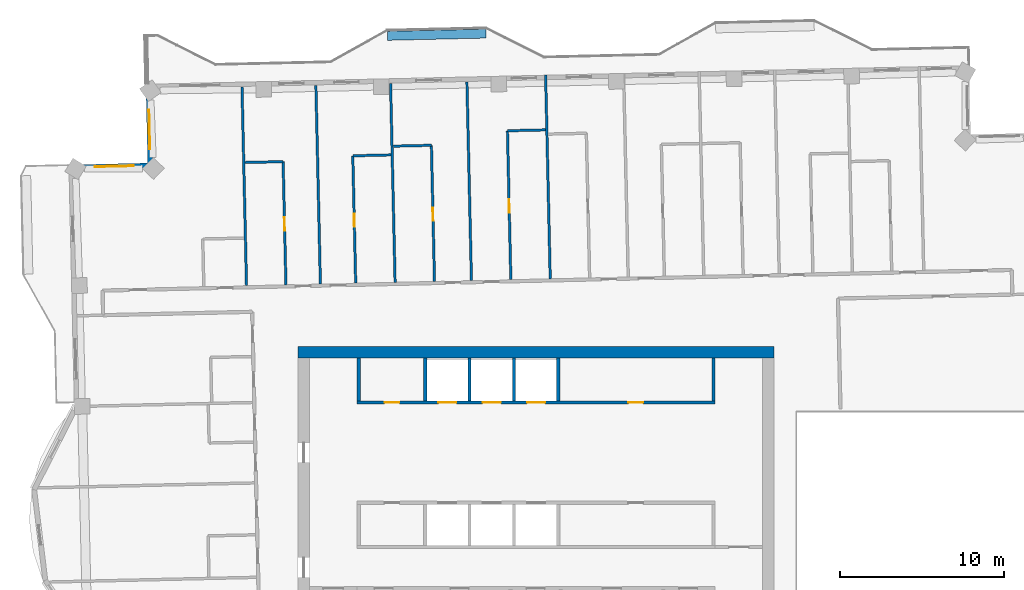
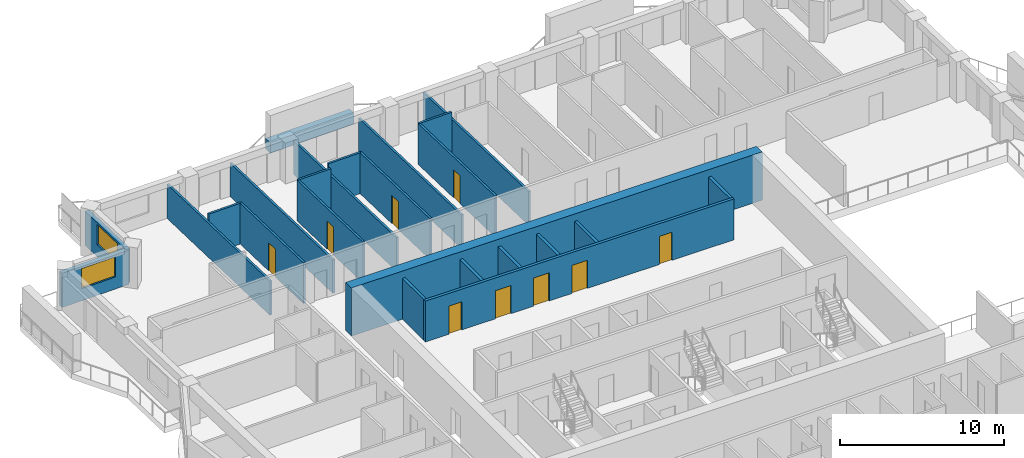
# One storey, part 12 of 18: 24 walls, 9 doors, 2 windows, 11 openings.
"""IFC4 building model written with IfcOpenShell, lengths in metres."""

from ifc_helpers import new_model, si_unit, direction, frame, frame_2d, origin, place, context, subcontext, project, spatial, rectangle, extrude, material, layer, layer_set, type_object, element, fill, save


model = new_model("IFC4")

# Units and contexts
model_context = context("Model", 3, precision=1e-05, world=origin(), true_north=direction((0.0, 1.0)))
body_context = subcontext(model_context, "Body", "Model", "MODEL_VIEW")
ifc_project = project(units=[si_unit("LENGTHUNIT", "METRE"), si_unit("AREAUNIT", "SQUARE_METRE"), si_unit("VOLUMEUNIT", "CUBIC_METRE"), si_unit("PLANEANGLEUNIT", "RADIAN"), si_unit("MASSUNIT", "GRAM", prefix="KILO")], contexts=[model_context])

# Site, building, storey
site_placement = place(None, origin())
site = spatial("IfcSite", under=ifc_project, at=site_placement, CompositionType="ELEMENT")
building_placement = place(site_placement, origin())
building = spatial("IfcBuilding", under=site, at=building_placement, Name="Mangrove Gate Tower", CompositionType="ELEMENT")
storey_placement = place(building_placement, frame((0.0, 0.0, 287.10009765625)))
storey = spatial("IfcBuildingStorey", under=building, at=storey_placement, Name="L73", CompositionType="ELEMENT", Elevation=287.10009765625)

# Walls
ifc_material_1 = material(Name="Concrete C32/40", Category="concrete")
ifc_layer_1 = layer(ifc_material_1, 0.199951171875)
ifc_layer_set_1 = layer_set([ifc_layer_1], Name="Core room wall 200 C32/40")
wall_type_1 = type_object("IfcWallType", Name="Core room wall 200 C32/40", PredefinedType="STANDARD", material=ifc_layer_set_1)
for number, where, z_axis, x_axis, name in (
    (1, (-10.800048828125, 8.199951171875, 0.0), (0.0, 0.0, 1.0), (0.0, 1.0, 0.0), "WALL-L73-CORE-25"),
    (2, (10.800048828125, 8.199951171875, 0.0), (0.0, 0.0, 1.0), (0.0, 1.0, 0.0), "WALL-L73-CORE-30"),
):
    element("IfcWall", number, at=place(storey_placement, frame(where, z_axis=z_axis, x_axis=x_axis)), inside=storey, type_object=wall_type_1, Name=name, PredefinedType="STANDARD", context=body_context, shape_type="SweptSolid", body=[
        extrude(rectangle(XDim=2.60009765625, YDim=0.199951171875, at=frame_2d((1.300048828125, 0.0))), origin(), (0.0, 0.0, 1.0), 3.0498046875),
    ])

# Wall, openings, doors
ifc_material_2 = material(Name="Concrete C50/60", Category="concrete")
ifc_layer_2 = layer(ifc_material_2, 0.199951171875)
ifc_layer_set_2 = layer_set([ifc_layer_2], Name="Core shaft wall 200 C50/60")
wall_type_2 = type_object("IfcWallType", Name="Core shaft wall 200 C50/60", PredefinedType="SHEAR", material=ifc_layer_set_2)
wall_1_placement = place(storey_placement, frame((-10.89990234375, 8.10009765625, 0.0), z_axis=(0.0, 0.0, 1.0), x_axis=(1.0, 0.0, 0.0)))
wall_1 = element("IfcWall", 3, at=wall_1_placement, inside=storey, type_object=wall_type_2, Name="WALL-L73-CORE-8", PredefinedType="SHEAR", context=body_context, shape_type="SweptSolid", body=[
    extrude(rectangle(XDim=21.7998046875, YDim=0.199951171875, at=frame_2d((10.89990234375, 0.0))), origin(), (0.0, 0.0, 1.0), 3.0498046875),
])
opening_1_placement = place(wall_1_placement, frame((4.949951171875, 0.0, 0.0)))
opening_1 = element("IfcOpeningElement", 4, at=opening_1_placement, cuts=wall_1, Name="Opening LD", PredefinedType="OPENING", context=body_context, shape_type="SweptSolid", body=[
    extrude(rectangle(XDim=1.10009765625, YDim=2.10009765625, at=frame_2d((0.550048828125, 1.050048828125))), frame((0.0, 0.10986328125, 0.0), z_axis=(0.0, -1.0, 0.0), x_axis=(1.0, 0.0, 0.0)), (0.0, 0.0, 1.0), 0.219970703125),
])
opening_2_placement = place(wall_1_placement, frame((7.64990234375, 0.0, 0.0)))
opening_2 = element("IfcOpeningElement", 5, at=opening_2_placement, cuts=wall_1, Name="Opening LD", PredefinedType="OPENING", context=body_context, shape_type="SweptSolid", body=[
    extrude(rectangle(XDim=1.10009765625, YDim=2.10009765625, at=frame_2d((0.550048828125, 1.050048828125))), frame((0.0, 0.10986328125, 0.0), z_axis=(0.0, -1.0, 0.0), x_axis=(1.0, 0.0, 0.0)), (0.0, 0.0, 1.0), 0.219970703125),
])
opening_3_placement = place(wall_1_placement, frame((10.35009765625, 0.0, 0.0)))
opening_3 = element("IfcOpeningElement", 6, at=opening_3_placement, cuts=wall_1, Name="Opening LD", PredefinedType="OPENING", context=body_context, shape_type="SweptSolid", body=[
    extrude(rectangle(XDim=1.10009765625, YDim=2.10009765625, at=frame_2d((0.550048828125, 1.050048828125))), frame((0.0, 0.10986328125, 0.0), z_axis=(0.0, -1.0, 0.0), x_axis=(1.0, 0.0, 0.0)), (0.0, 0.0, 1.0), 0.219970703125),
])
opening_4_placement = place(wall_1_placement, frame((1.675048828125, 0.0, 0.0)))
opening_4 = element("IfcOpeningElement", 7, at=opening_4_placement, cuts=wall_1, Name="Opening KD", PredefinedType="OPENING", context=body_context, shape_type="SweptSolid", body=[
    extrude(rectangle(XDim=0.89990234375, YDim=2.10009765625, at=frame_2d((0.449951171875, 1.050048828125))), frame((0.0, 0.10986328125, 0.0), z_axis=(0.0, -1.0, 0.0), x_axis=(1.0, 0.0, 0.0)), (0.0, 0.0, 1.0), 0.219970703125),
])
opening_5_placement = place(wall_1_placement, frame((16.52490234375, 0.0, 0.0)))
opening_5 = element("IfcOpeningElement", 8, at=opening_5_placement, cuts=wall_1, Name="Opening RD", PredefinedType="OPENING", context=body_context, shape_type="SweptSolid", body=[
    extrude(rectangle(XDim=0.89990234375, YDim=2.10009765625, at=frame_2d((0.449951171875, 1.050048828125))), frame((0.0, 0.10986328125, 0.0), z_axis=(0.0, -1.0, 0.0), x_axis=(1.0, 0.0, 0.0)), (0.0, 0.0, 1.0), 0.219970703125),
])
ifc_material_3 = material(Name="Fire-rated steel door set", Category="steel")
door_type_1 = type_object("IfcDoorType", Name="Core room door FD30S 900x2100", OperationType="SINGLE_SWING_RIGHT", PredefinedType="DOOR", material=ifc_material_3)
door_1_placement = place(opening_4_placement, origin())
door_1 = element("IfcDoor", 9, at=door_1_placement, inside=storey, type_object=door_type_1, Name="Core room door Refuse store", OperationType="SINGLE_SWING_RIGHT", OverallHeight=2.10009765625, OverallWidth=0.89990234375, PredefinedType="DOOR", context=body_context, shape_type="SweptSolid", body=[
    extrude(rectangle(XDim=0.89990234375, YDim=2.10009765625, at=frame_2d((0.449951171875, 1.050048828125))), frame((0.0, 0.02490234375, 0.0), z_axis=(0.0, -1.0, 0.0), x_axis=(1.0, 0.0, 0.0)), (0.0, 0.0, 1.0), 0.050048828125),
])
fill(opening_4, door_1)
ifc_material_4 = material(Name="Stainless steel 316", Category="steel")
door_type_2 = type_object("IfcDoorType", Name="Lift landing door 1100x2100", OperationType="SLIDING_TO_LEFT", PredefinedType="DOOR", material=ifc_material_4)
door_2_placement = place(opening_1_placement, origin())
door_2 = element("IfcDoor", 10, at=door_2_placement, inside=storey, type_object=door_type_2, Name="Landing door LD H04", OperationType="SLIDING_TO_LEFT", OverallHeight=2.10009765625, OverallWidth=1.10009765625, PredefinedType="DOOR", context=body_context, shape_type="SweptSolid", body=[
    extrude(rectangle(XDim=1.10009765625, YDim=2.10009765625, at=frame_2d((0.550048828125, 1.050048828125))), frame((0.0, 0.02490234375, 0.0), z_axis=(0.0, -1.0, 0.0), x_axis=(1.0, 0.0, 0.0)), (0.0, 0.0, 1.0), 0.050048828125),
])
fill(opening_1, door_2)
door_3_placement = place(opening_2_placement, origin())
door_3 = element("IfcDoor", 11, at=door_3_placement, inside=storey, type_object=door_type_2, Name="Landing door LD H05", OperationType="SLIDING_TO_LEFT", OverallHeight=2.10009765625, OverallWidth=1.10009765625, PredefinedType="DOOR", context=body_context, shape_type="SweptSolid", body=[
    extrude(rectangle(XDim=1.10009765625, YDim=2.10009765625, at=frame_2d((0.550048828125, 1.050048828125))), frame((0.0, 0.02490234375, 0.0), z_axis=(0.0, -1.0, 0.0), x_axis=(1.0, 0.0, 0.0)), (0.0, 0.0, 1.0), 0.050048828125),
])
fill(opening_2, door_3)
door_4_placement = place(opening_3_placement, origin())
door_4 = element("IfcDoor", 12, at=door_4_placement, inside=storey, type_object=door_type_2, Name="Landing door LD H06", OperationType="SLIDING_TO_LEFT", OverallHeight=2.10009765625, OverallWidth=1.10009765625, PredefinedType="DOOR", context=body_context, shape_type="SweptSolid", body=[
    extrude(rectangle(XDim=1.10009765625, YDim=2.10009765625, at=frame_2d((0.550048828125, 1.050048828125))), frame((0.0, 0.02490234375, 0.0), z_axis=(0.0, -1.0, 0.0), x_axis=(1.0, 0.0, 0.0)), (0.0, 0.0, 1.0), 0.050048828125),
])
fill(opening_3, door_4)
ifc_material_5 = material(Name="Fire-rated steel door set", Category="steel")
door_type_3 = type_object("IfcDoorType", Name="Riser door FD30S 900x2100", OperationType="SINGLE_SWING_LEFT", PredefinedType="DOOR", material=ifc_material_5)
door_5_placement = place(opening_5_placement, origin())
door_5 = element("IfcDoor", 13, at=door_5_placement, inside=storey, type_object=door_type_3, Name="Riser door Electrical room", OperationType="SINGLE_SWING_LEFT", OverallHeight=2.10009765625, OverallWidth=0.89990234375, PredefinedType="DOOR", context=body_context, shape_type="SweptSolid", body=[
    extrude(rectangle(XDim=0.89990234375, YDim=2.10009765625, at=frame_2d((0.449951171875, 1.050048828125))), frame((0.0, 0.02490234375, 0.0), z_axis=(0.0, -1.0, 0.0), x_axis=(1.0, 0.0, 0.0)), (0.0, 0.0, 1.0), 0.050048828125),
])
fill(opening_5, door_5)

# Walls
for number, where, z_axis, x_axis, name in (
    (14, (-6.75, 8.199951171875, 0.0), (0.0, 0.0, 1.0), (0.0, 1.0, 0.0), "WALL-L73-CORE-26"),
    (15, (-4.050048828125, 8.199951171875, 0.0), (0.0, 0.0, 1.0), (0.0, 1.0, 0.0), "WALL-L73-CORE-27"),
    (16, (-1.35009765625, 8.199951171875, 0.0), (0.0, 0.0, 1.0), (0.0, 1.0, 0.0), "WALL-L73-CORE-28"),
    (17, (1.35009765625, 8.199951171875, 0.0), (0.0, 0.0, 1.0), (0.0, 1.0, 0.0), "WALL-L73-CORE-29"),
):
    element("IfcWall", number, at=place(storey_placement, frame(where, z_axis=z_axis, x_axis=x_axis)), inside=storey, type_object=wall_type_2, Name=name, PredefinedType="SHEAR", context=body_context, shape_type="SweptSolid", body=[
        extrude(rectangle(XDim=2.60009765625, YDim=0.199951171875, at=frame_2d((1.300048828125, 0.0))), origin(), (0.0, 0.0, 1.0), 3.0498046875),
    ])
ifc_material_6 = material(Name="Concrete C50/60", Category="concrete")
ifc_layer_3 = layer(ifc_material_6, 0.699951171875)
ifc_layer_set_3 = layer_set([ifc_layer_3], Name="Core wall 700 C50/60")
wall_type_3 = type_object("IfcWallType", Name="Core wall 700 C50/60", PredefinedType="SHEAR", material=ifc_layer_set_3)
wall_2_placement = place(storey_placement, frame((-14.5, 11.14990234375, 0.0), z_axis=(0.0, 0.0, 1.0), x_axis=(1.0, 0.0, 0.0)))
element("IfcWall", 18, at=wall_2_placement, inside=storey, type_object=wall_type_3, Name="WALL-L73-CORE-2", PredefinedType="SHEAR", context=body_context, shape_type="SweptSolid", body=[
    extrude(rectangle(XDim=29.0, YDim=0.699951171875, at=frame_2d((14.5, 0.0))), origin(), (0.0, 0.0, 1.0), 3.599853515625),
])

# Wall, opening, window
ifc_material_7 = material(Name="Limestone", Category="masonry")
ifc_layer_4 = layer(ifc_material_7, 0.0400390625, Name="Limestone cladding")
ifc_material_8 = material(Name="Ventilated air gap")
ifc_layer_5 = layer(ifc_material_8, 0.0400390625, Name="Ventilated cavity")
ifc_material_9 = material(Name="Mineral wool insulation")
ifc_layer_6 = layer(ifc_material_9, 0.06005859375, Name="Insulation")
ifc_material_10 = material(Name="Breather membrane")
ifc_layer_7 = layer(ifc_material_10, 0.001953125, Name="Breather membrane")
ifc_material_11 = material(Name="Concrete C20/25 blockwork", Category="masonry")
ifc_layer_8 = layer(ifc_material_11, 0.14990234375, Name="Blockwork backing wall")
ifc_material_12 = material(Name="Gypsum plaster")
ifc_layer_9 = layer(ifc_material_12, 0.008056640625, Name="Internal plaster")
ifc_layer_set_4 = layer_set([ifc_layer_4, ifc_layer_5, ifc_layer_6, ifc_layer_7, ifc_layer_8, ifc_layer_9], Name="External wall 300 limestone cladding")
wall_type_4 = type_object("IfcWallType", Name="External wall 300 limestone cladding", PredefinedType="SOLIDWALL", material=ifc_layer_set_4)
wall_3_placement = place(storey_placement, frame((-23.60693359375, 27.3349609375, 0.0), z_axis=(0.0, 0.0, 1.0), x_axis=(0.022683280499, -0.999742701292, 0.0)))
wall_3 = element("IfcWall", 19, at=wall_3_placement, inside=storey, type_object=wall_type_4, Name="WALL-L73-W6", PredefinedType="SOLIDWALL", context=body_context, shape_type="SweptSolid", body=[
    extrude(rectangle(XDim=4.80029296875, YDim=0.300048828125, at=frame_2d((2.400146484375, 0.0))), origin(), (0.0, 0.0, 1.0), 2.5498046875),
])
opening_6_placement = place(wall_3_placement, frame((1.408935546875, 0.0, 0.89990234375)))
opening_6 = element("IfcOpeningElement", 20, at=opening_6_placement, cuts=wall_3, Name="Opening W2", PredefinedType="OPENING", context=body_context, shape_type="SweptSolid", body=[
    extrude(rectangle(XDim=2.39990234375, YDim=1.5, at=frame_2d((1.199951171875, 0.75))), frame((0.0, 0.159912109375, 0.0), z_axis=(0.0, -1.0, 0.0), x_axis=(1.0, 0.0, 0.0)), (0.0, 0.0, 1.0), 0.320068359375),
])
ifc_material_13 = material(Name="Aluminium frame with double-glazed low-e glass", Category="aluminium")
window_type = type_object("IfcWindowType", Name="Corner room window 2400x1500", PartitioningType="DOUBLE_PANEL_VERTICAL", PredefinedType="WINDOW", material=ifc_material_13)
window_1_placement = place(opening_6_placement, origin())
window_1 = element("IfcWindow", 21, at=window_1_placement, inside=storey, type_object=window_type, Name="WIN-L73-W6-1", OverallHeight=1.5, OverallWidth=2.39990234375, PartitioningType="DOUBLE_PANEL_VERTICAL", PredefinedType="WINDOW", context=body_context, shape_type="SweptSolid", body=[
    extrude(rectangle(XDim=2.39990234375, YDim=1.5, at=frame_2d((1.199951171875, 0.75))), frame((0.0, 0.030029296875, 0.0), z_axis=(0.0, -1.0, 0.0), x_axis=(1.0, 0.0, 0.0)), (0.0, 0.0, 1.0), 0.06005859375),
])
fill(opening_6, window_1)

wall_4_placement = place(storey_placement, frame((-23.498046875, 22.535888671875, 0.0), z_axis=(0.0, 0.0, 1.0), x_axis=(-0.999742701292, -0.022683280499, 0.0)))
wall_4 = element("IfcWall", 22, at=wall_4_placement, inside=storey, type_object=wall_type_4, Name="WALL-L73-N7", PredefinedType="SOLIDWALL", context=body_context, shape_type="SweptSolid", body=[
    extrude(rectangle(XDim=4.80029296875, YDim=0.300048828125, at=frame_2d((2.400146484375, 0.0))), origin(), (0.0, 0.0, 1.0), 2.5498046875),
])
opening_7_placement = place(wall_4_placement, frame((0.989990234375, 0.0, 0.89990234375)))
opening_7 = element("IfcOpeningElement", 23, at=opening_7_placement, cuts=wall_4, Name="Opening W2", PredefinedType="OPENING", context=body_context, shape_type="SweptSolid", body=[
    extrude(rectangle(XDim=2.39990234375, YDim=1.5, at=frame_2d((1.199951171875, 0.75))), frame((0.0, 0.159912109375, 0.0), z_axis=(0.0, -1.0, 0.0), x_axis=(1.0, 0.0, 0.0)), (0.0, 0.0, 1.0), 0.320068359375),
])
window_2_placement = place(opening_7_placement, origin())
window_2 = element("IfcWindow", 24, at=window_2_placement, inside=storey, type_object=window_type, Name="WIN-L73-N7-1", OverallHeight=1.5, OverallWidth=2.39990234375, PartitioningType="DOUBLE_PANEL_VERTICAL", PredefinedType="WINDOW", context=body_context, shape_type="SweptSolid", body=[
    extrude(rectangle(XDim=2.39990234375, YDim=1.5, at=frame_2d((1.199951171875, 0.75))), frame((0.0, 0.030029296875, 0.0), z_axis=(0.0, -1.0, 0.0), x_axis=(1.0, 0.0, 0.0)), (0.0, 0.0, 1.0), 0.06005859375),
])
fill(opening_7, window_2)

# Wall
ifc_material_14 = material(Name="Gypsum board on steel stud, EI 60", Category="steel")
ifc_layer_10 = layer(ifc_material_14, 0.14990234375)
ifc_layer_set_5 = layer_set([ifc_layer_10], Name="Party wall 150 EI 60")
wall_type_5 = type_object("IfcWallType", Name="Party wall 150 EI 60", PredefinedType="PARTITIONING", material=ifc_layer_set_5)
wall_5_placement = place(storey_placement, frame((-17.633056640625, 15.217041015625, 0.0), z_axis=(0.0, 0.0, 1.0), x_axis=(-0.02263844782, 0.9997437175, 0.0)))
element("IfcWall", 25, at=wall_5_placement, inside=storey, type_object=wall_type_5, Name="WALL-L73-059", PredefinedType="PARTITIONING", context=body_context, shape_type="SweptSolid", body=[
    extrude(rectangle(XDim=12.10009765625, YDim=0.14990234375, at=frame_2d((6.050048828125, 0.0))), origin(), (0.0, 0.0, 1.0), 2.5498046875),
])

# Wall, opening, door
wall_6_placement = place(storey_placement, frame((-15.23291015625, 15.27197265625, 0.0), z_axis=(0.0, 0.0, 1.0), x_axis=(-0.022819011082, 0.999739612466, 0.0)))
wall_6 = element("IfcWall", 26, at=wall_6_placement, inside=storey, type_object=wall_type_5, Name="WALL-L73-060", PredefinedType="PARTITIONING", context=body_context, shape_type="SweptSolid", body=[
    extrude(rectangle(XDim=7.5, YDim=0.14990234375, at=frame_2d((3.75, 0.0))), origin(), (0.0, 0.0, 1.0), 3.0498046875),
])
opening_8_placement = place(wall_6_placement, frame((3.300048828125, 0.0, 0.0)))
opening_8 = element("IfcOpeningElement", 27, at=opening_8_placement, cuts=wall_6, Name="Opening ED", PredefinedType="OPENING", context=body_context, shape_type="SweptSolid", body=[
    extrude(rectangle(XDim=0.800048828125, YDim=2.10009765625, at=frame_2d((0.39990234375, 1.050048828125))), frame((0.0, 0.0849609375, 0.0), z_axis=(0.0, -1.0, 0.0), x_axis=(1.0, 0.0, 0.0)), (0.0, 0.0, 1.0), 0.169921875),
])
ifc_material_15 = material(Name="Timber door leaf", Category="wood")
door_type_4 = type_object("IfcDoorType", Name="En-suite door 800", OperationType="SINGLE_SWING_LEFT", PredefinedType="DOOR", material=ifc_material_15)
door_6_placement = place(opening_8_placement, origin())
door_6 = element("IfcDoor", 28, at=door_6_placement, inside=storey, type_object=door_type_4, Name="DOOR-L73-ENS-c518", OperationType="SINGLE_SWING_RIGHT", OverallHeight=2.10009765625, OverallWidth=0.800048828125, PredefinedType="DOOR", context=body_context, shape_type="SweptSolid", body=[
    extrude(rectangle(XDim=0.800048828125, YDim=2.10009765625, at=frame_2d((0.39990234375, 1.050048828125))), frame((0.0, 0.02490234375, 0.0), z_axis=(0.0, -1.0, 0.0), x_axis=(1.0, 0.0, 0.0)), (0.0, 0.0, 1.0), 0.050048828125),
])
fill(opening_8, door_6)

# Wall
wall_7_placement = place(storey_placement, frame((-13.134033203125, 15.319091796875, 0.0), z_axis=(0.0, 0.0, 1.0), x_axis=(-0.02263844782, 0.9997437175, 0.0)))
element("IfcWall", 29, at=wall_7_placement, inside=storey, type_object=wall_type_5, Name="WALL-L73-061", PredefinedType="PARTITIONING", context=body_context, shape_type="SweptSolid", body=[
    extrude(rectangle(XDim=12.10009765625, YDim=0.14990234375, at=frame_2d((6.050048828125, 0.0))), origin(), (0.0, 0.0, 1.0), 2.5),
])

# Wall, opening, door
wall_8_placement = place(storey_placement, frame((-10.98388671875, 15.367919921875, 0.0), z_axis=(0.0, 0.0, 1.0), x_axis=(-0.022809307977, 0.999739833892, 0.0)))
wall_8 = element("IfcWall", 30, at=wall_8_placement, inside=storey, type_object=wall_type_5, Name="WALL-L73-062", PredefinedType="PARTITIONING", context=body_context, shape_type="SweptSolid", body=[
    extrude(rectangle(XDim=7.760009765625, YDim=0.14990234375, at=frame_2d((3.8798828125, 0.0))), origin(), (0.0, 0.0, 1.0), 3.0498046875),
])
opening_9_placement = place(wall_8_placement, frame((3.429931640625, 0.0, 0.0)))
opening_9 = element("IfcOpeningElement", 31, at=opening_9_placement, cuts=wall_8, Name="Opening ED", PredefinedType="OPENING", context=body_context, shape_type="SweptSolid", body=[
    extrude(rectangle(XDim=0.800048828125, YDim=2.10009765625, at=frame_2d((0.39990234375, 1.050048828125))), frame((0.0, 0.0849609375, 0.0), z_axis=(0.0, -1.0, 0.0), x_axis=(1.0, 0.0, 0.0)), (0.0, 0.0, 1.0), 0.169921875),
])
door_7_placement = place(opening_9_placement, origin())
door_7 = element("IfcDoor", 32, at=door_7_placement, inside=storey, type_object=door_type_4, Name="DOOR-L73-ENS-c517", OperationType="SINGLE_SWING_LEFT", OverallHeight=2.10009765625, OverallWidth=0.800048828125, PredefinedType="DOOR", context=body_context, shape_type="SweptSolid", body=[
    extrude(rectangle(XDim=0.800048828125, YDim=2.10009765625, at=frame_2d((0.39990234375, 1.050048828125))), frame((0.0, 0.02490234375, 0.0), z_axis=(0.0, -1.0, 0.0), x_axis=(1.0, 0.0, 0.0)), (0.0, 0.0, 1.0), 0.050048828125),
])
fill(opening_9, door_7)

# Wall
wall_9_placement = place(storey_placement, frame((-8.5849609375, 15.422119140625, 0.0), z_axis=(0.0, 0.0, 1.0), x_axis=(-0.02273928012, 0.99974142914, 0.0)))
element("IfcWall", 33, at=wall_9_placement, inside=storey, type_object=wall_type_5, Name="WALL-L73-063", PredefinedType="PARTITIONING", context=body_context, shape_type="SweptSolid", body=[
    extrude(rectangle(XDim=12.10009765625, YDim=0.14990234375, at=frame_2d((6.050048828125, 0.0))), origin(), (0.0, 0.0, 1.0), 2.5),
])

# Wall, opening, door
wall_10_placement = place(storey_placement, frame((-6.18603515625, 15.47705078125, 0.0), z_axis=(0.0, 0.0, 1.0), x_axis=(-0.022676583998, 0.999742853207, 0.0)))
wall_10 = element("IfcWall", 34, at=wall_10_placement, inside=storey, type_object=wall_type_5, Name="WALL-L73-064", PredefinedType="PARTITIONING", context=body_context, shape_type="SweptSolid", body=[
    extrude(rectangle(XDim=8.2900390625, YDim=0.14990234375, at=frame_2d((4.14501953125, 0.0))), origin(), (0.0, 0.0, 1.0), 3.0498046875),
])
opening_10_placement = place(wall_10_placement, frame((3.695068359375, 0.0, 0.0)))
opening_10 = element("IfcOpeningElement", 35, at=opening_10_placement, cuts=wall_10, Name="Opening ED", PredefinedType="OPENING", context=body_context, shape_type="SweptSolid", body=[
    extrude(rectangle(XDim=0.800048828125, YDim=2.10009765625, at=frame_2d((0.39990234375, 1.050048828125))), frame((0.0, 0.0849609375, 0.0), z_axis=(0.0, -1.0, 0.0), x_axis=(1.0, 0.0, 0.0)), (0.0, 0.0, 1.0), 0.169921875),
])
door_8_placement = place(opening_10_placement, origin())
door_8 = element("IfcDoor", 36, at=door_8_placement, inside=storey, type_object=door_type_4, Name="DOOR-L73-ENS-c516", OperationType="SINGLE_SWING_RIGHT", OverallHeight=2.10009765625, OverallWidth=0.800048828125, PredefinedType="DOOR", context=body_context, shape_type="SweptSolid", body=[
    extrude(rectangle(XDim=0.800048828125, YDim=2.10009765625, at=frame_2d((0.39990234375, 1.050048828125))), frame((0.0, 0.02490234375, 0.0), z_axis=(0.0, -1.0, 0.0), x_axis=(1.0, 0.0, 0.0)), (0.0, 0.0, 1.0), 0.050048828125),
])
fill(opening_10, door_8)

# Wall
wall_11_placement = place(storey_placement, frame((-3.93603515625, 15.528076171875, 0.0), z_axis=(0.0, 0.0, 1.0), x_axis=(-0.022719113715, 0.999741887625, 0.0)))
element("IfcWall", 37, at=wall_11_placement, inside=storey, type_object=wall_type_5, Name="WALL-L73-065", PredefinedType="PARTITIONING", context=body_context, shape_type="SweptSolid", body=[
    extrude(rectangle(XDim=12.10009765625, YDim=0.14990234375, at=frame_2d((6.050048828125, 0.0))), origin(), (0.0, 0.0, 1.0), 2.5),
])

# Wall, opening, door
wall_12_placement = place(storey_placement, frame((-1.537109375, 15.58203125, 0.0), z_axis=(0.0, 0.0, 1.0), x_axis=(-0.022690833899, 0.999742529883, 0.0)))
wall_12 = element("IfcWall", 38, at=wall_12_placement, inside=storey, type_object=wall_type_5, Name="WALL-L73-066", PredefinedType="PARTITIONING", context=body_context, shape_type="SweptSolid", body=[
    extrude(rectangle(XDim=9.0703125, YDim=0.14990234375, at=frame_2d((4.53515625, 0.0))), origin(), (0.0, 0.0, 1.0), 3.0498046875),
])
opening_11_placement = place(wall_12_placement, frame((4.0849609375, 0.0, 0.0)))
opening_11 = element("IfcOpeningElement", 39, at=opening_11_placement, cuts=wall_12, Name="Opening ED", PredefinedType="OPENING", context=body_context, shape_type="SweptSolid", body=[
    extrude(rectangle(XDim=0.800048828125, YDim=2.10009765625, at=frame_2d((0.39990234375, 1.050048828125))), frame((0.0, 0.0849609375, 0.0), z_axis=(0.0, -1.0, 0.0), x_axis=(1.0, 0.0, 0.0)), (0.0, 0.0, 1.0), 0.169921875),
])
door_9_placement = place(opening_11_placement, origin())
door_9 = element("IfcDoor", 40, at=door_9_placement, inside=storey, type_object=door_type_4, Name="DOOR-L73-ENS-c415", OperationType="SINGLE_SWING_LEFT", OverallHeight=2.10009765625, OverallWidth=0.800048828125, PredefinedType="DOOR", context=body_context, shape_type="SweptSolid", body=[
    extrude(rectangle(XDim=0.800048828125, YDim=2.10009765625, at=frame_2d((0.39990234375, 1.050048828125))), frame((0.0, 0.02490234375, 0.0), z_axis=(0.0, -1.0, 0.0), x_axis=(1.0, 0.0, 0.0)), (0.0, 0.0, 1.0), 0.050048828125),
])
fill(opening_11, door_9)

# Walls
wall_13_placement = place(storey_placement, frame((0.862060546875, 15.636962890625, 0.0), z_axis=(0.0, 0.0, 1.0), x_axis=(-0.022661475803, 0.999743195783, 0.0)))
element("IfcWall", 41, at=wall_13_placement, inside=storey, type_object=wall_type_5, Name="WALL-L73-067", PredefinedType="PARTITIONING", context=body_context, shape_type="SweptSolid", body=[
    extrude(rectangle(XDim=12.400146484375, YDim=0.14990234375, at=frame_2d((6.2001953125, 0.0))), origin(), (0.0, 0.0, 1.0), 2.5),
])
wall_14_placement = place(storey_placement, frame((-17.72607421875, 22.717041015625, 0.0), z_axis=(0.0, 0.0, 1.0), x_axis=(0.999740260747, 0.02279059109, 0.0)))
element("IfcWall", 42, at=wall_14_placement, inside=storey, type_object=wall_type_5, Name="WALL-L73-081", PredefinedType="PARTITIONING", context=body_context, shape_type="SweptSolid", body=[
    extrude(rectangle(XDim=2.324462890625, YDim=0.14990234375, at=frame_2d((1.162109375, 0.0))), origin(), (0.0, 0.0, 1.0), 3.0498046875),
])
wall_15_placement = place(storey_placement, frame((-11.158935546875, 23.1259765625, 0.0), z_axis=(0.0, 0.0, 1.0), x_axis=(0.999740478815, 0.022781023197, 0.0)))
element("IfcWall", 43, at=wall_15_placement, inside=storey, type_object=wall_type_5, Name="WALL-L73-082", PredefinedType="PARTITIONING", context=body_context, shape_type="SweptSolid", body=[
    extrude(rectangle(XDim=2.325439453125, YDim=0.14990234375, at=frame_2d((1.16259765625, 0.0))), origin(), (0.0, 0.0, 1.0), 3.0498046875),
])
wall_16_placement = place(storey_placement, frame((-8.696044921875, 23.7119140625, 0.0), z_axis=(0.0, 0.0, 1.0), x_axis=(0.999740260747, 0.02279059109, 0.0)))
element("IfcWall", 44, at=wall_16_placement, inside=storey, type_object=wall_type_5, Name="WALL-L73-085", PredefinedType="PARTITIONING", context=body_context, shape_type="SweptSolid", body=[
    extrude(rectangle(XDim=2.324462890625, YDim=0.14990234375, at=frame_2d((1.162109375, 0.0))), origin(), (0.0, 0.0, 1.0), 3.0498046875),
])
wall_17_placement = place(storey_placement, frame((-1.740966796875, 24.64990234375, 0.0), z_axis=(0.0, 0.0, 1.0), x_axis=(0.999740478815, 0.022781023197, 0.0)))
element("IfcWall", 45, at=wall_17_placement, inside=storey, type_object=wall_type_5, Name="WALL-L73-087", PredefinedType="PARTITIONING", context=body_context, shape_type="SweptSolid", body=[
    extrude(rectangle(XDim=2.325439453125, YDim=0.14990234375, at=frame_2d((1.16259765625, 0.0))), origin(), (0.0, 0.0, 1.0), 3.0498046875),
])
ifc_material_16 = material(Name="Concrete C32/40", Category="concrete")
ifc_layer_11 = layer(ifc_material_16, 0.199951171875, Name="Planter trough wall")
ifc_material_17 = material(Name="Bituminous waterproofing membrane")
ifc_layer_12 = layer(ifc_material_17, 0.0048828125, Name="Waterproofing")
ifc_material_18 = material(Name="Drainage board and gravel")
ifc_layer_13 = layer(ifc_material_18, 0.044921875, Name="Drainage layer")
ifc_material_19 = material(Name="Planting soil")
ifc_layer_14 = layer(ifc_material_19, 0.300048828125, Name="Growing medium")
ifc_layer_set_6 = layer_set([ifc_layer_11, ifc_layer_12, ifc_layer_13, ifc_layer_14], Name="Planter wall 550 C32/40")
wall_type_6 = type_object("IfcWallType", Name="Planter wall 550 C32/40", PredefinedType="USERDEFINED", material=ifc_layer_set_6)
wall_18_placement = place(storey_placement, frame((-9.055908203125, 30.430908203125, 0.0), z_axis=(0.0, 0.0, 1.0), x_axis=(0.999743073592, 0.022666865795, 0.0)))
element("IfcWall", 46, at=wall_18_placement, inside=storey, type_object=wall_type_6, Name="PLANTER L73 N1.1", ObjectType="PLANTER", PredefinedType="USERDEFINED", context=body_context, shape_type="SweptSolid", body=[
    extrude(rectangle(XDim=5.999267578125, YDim=0.550048828125, at=frame_2d((2.99951171875, 0.0))), origin(), (0.0, 0.0, 1.0), 0.7998046875),
])

save(model, "model.ifc")
